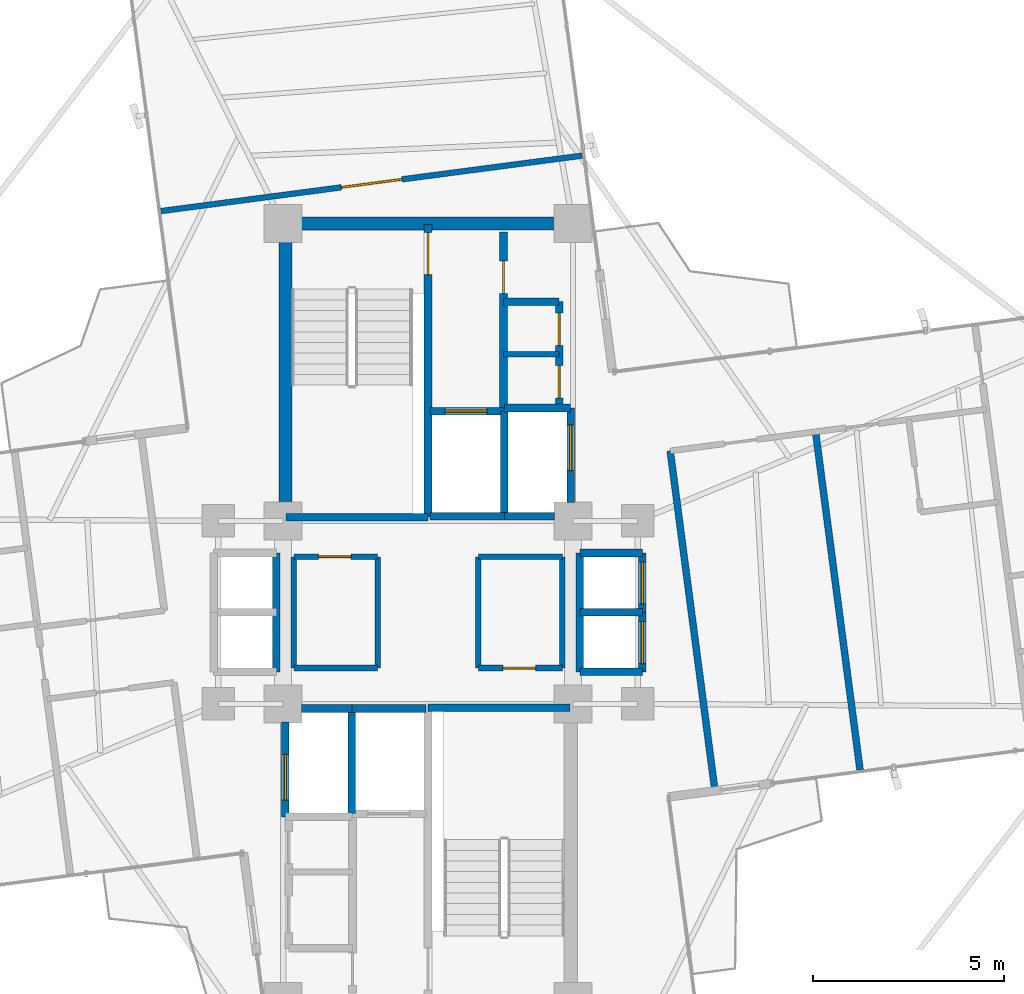
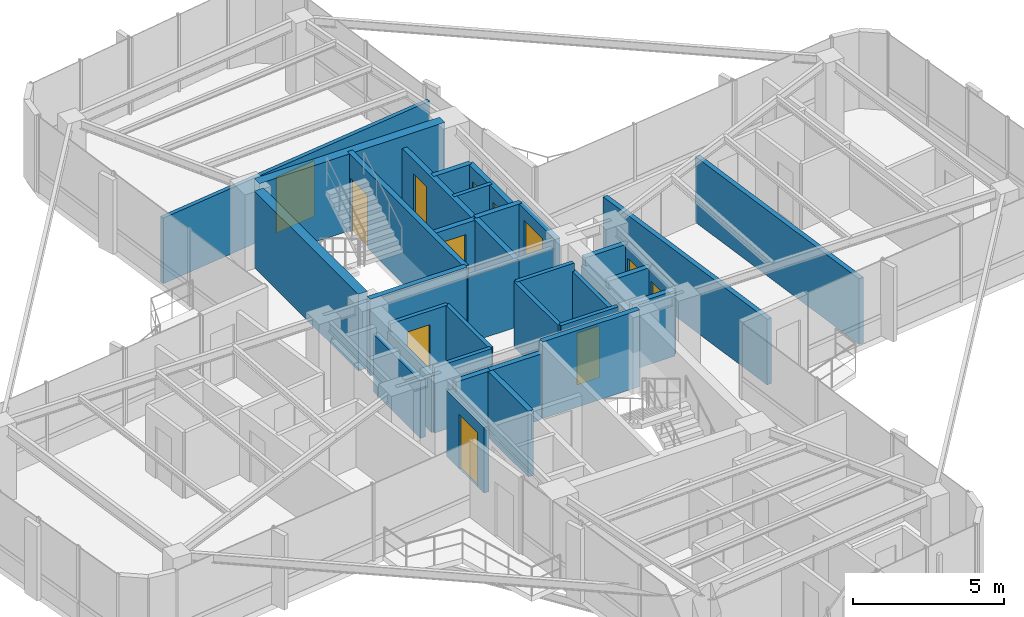
# One storey, part 20 of 22: 37 walls, 12 doors, 12 openings.
"""IFC4 building model written with IfcOpenShell, lengths in metres."""

import ifcopenshell
import ifcopenshell.guid

model = None  # the IFC model being written
_history = None  # IfcOwnerHistory: only IFC2X3 demands one
_inside = {}  # id of a spatial element -> (the spatial element, [elements in it])
_under = {}  # id of a project, library or spatial element -> (it, [spatial elements below it])
_declared = {}  # id of a project -> (the project, [libraries it declares])
_typed = {}  # id of a type object -> (the type object, [elements of that type])
_made_of = {}  # id of a material, layer set ... -> (it, [elements and type objects made of it])


def new_model(schema):
    """Start an empty IFC model of exactly this schema.

    Asked for "IFC4X3", IfcOpenShell would pick the latest addendum, in which some entities
    have other attributes; the version numbers below select the first issue.
    IFC2X3 requires an IfcOwnerHistory on every rooted entity: one is made here for all.
    """
    global model, _history
    if schema == "IFC4X3":
        model = ifcopenshell.file(schema_version=(4, 3, 0, 0))
    else:
        model = ifcopenshell.file(schema=schema)
    _inside.clear()
    _under.clear()
    _declared.clear()
    _typed.clear()
    _made_of.clear()
    _history = None
    if model.schema == "IFC2X3":
        org = make("IfcOrganization", Name="unknown")
        user = make(
            "IfcPersonAndOrganization",
            ThePerson=make("IfcPerson", FamilyName="unknown"),
            TheOrganization=org,
        )
        app = make(
            "IfcApplication",
            ApplicationDeveloper=org,
            Version="unknown",
            ApplicationFullName="unknown",
            ApplicationIdentifier="unknown",
        )
        _history = make(
            "IfcOwnerHistory",
            OwningUser=user,
            OwningApplication=app,
            ChangeAction="ADDED",
            CreationDate=0,
        )
    return model


def make(cls, **values):
    """One entity of the class cls with the attributes given. An attribute that is None is left unset."""
    return model.create_entity(
        cls, **{name: value for name, value in values.items() if value is not None}
    )


def rooted(cls, **values):
    """An entity with a GlobalId (a new one), such as an element, a storey or a relation."""
    return make(cls, GlobalId=ifcopenshell.guid.new(), OwnerHistory=_history, **values)


def si_unit(unit_type, name, prefix=None):
    """IfcSIUnit, for example si_unit("LENGTHUNIT", "METRE", prefix="MILLI")."""
    return make("IfcSIUnit", UnitType=unit_type, Prefix=prefix, Name=name)


def assignment(units):
    """IfcUnitAssignment: the units of a project."""
    return None if units is None else make("IfcUnitAssignment", Units=units)


def point(xyz):
    """IfcCartesianPoint."""
    return None if xyz is None else make("IfcCartesianPoint", Coordinates=xyz)


def direction(xyz):
    """IfcDirection."""
    return None if xyz is None else make("IfcDirection", DirectionRatios=xyz)


def frame(location, z_axis=None, x_axis=None):
    """IfcAxis2Placement3D, a coordinate frame: its origin and axes. An axis left out is left unset."""
    return make(
        "IfcAxis2Placement3D",
        Location=point(location),
        Axis=direction(z_axis),
        RefDirection=direction(x_axis),
    )


def frame_2d(location, x_axis=None):
    """IfcAxis2Placement2D, a coordinate frame in the plane: its origin and x axis."""
    return make(
        "IfcAxis2Placement2D", Location=point(location), RefDirection=direction(x_axis)
    )


def origin():
    """The frame at (0, 0, 0) with its axes left unset."""
    return frame((0.0, 0.0, 0.0))


def origin_2d():
    """The frame at (0, 0) in the plane with its x axis left unset."""
    return frame_2d((0.0, 0.0))


def place(relative_to, where):
    """IfcLocalPlacement: puts the frame where relative to a parent placement (None: the world)."""
    return make(
        "IfcLocalPlacement", PlacementRelTo=relative_to, RelativePlacement=where
    )


def context(
    kind, dimensions, precision=None, world=None, true_north=None, identifier=None
):
    """IfcGeometricRepresentationContext, for example the 3D "Model" context."""
    return make(
        "IfcGeometricRepresentationContext",
        ContextIdentifier=identifier,
        ContextType=kind,
        CoordinateSpaceDimension=dimensions,
        Precision=precision,
        WorldCoordinateSystem=world,
        TrueNorth=true_north,
    )


def subcontext(parent, identifier, kind, view, scale=None):
    """IfcGeometricRepresentationSubContext, for example "Body" below "Model"."""
    return make(
        "IfcGeometricRepresentationSubContext",
        ContextIdentifier=identifier,
        ContextType=kind,
        ParentContext=parent,
        TargetScale=scale,
        TargetView=view,
    )


def project(units=None, contexts=None):
    """IfcProject with its units and contexts."""
    return rooted(
        "IfcProject",
        Name="project",
        RepresentationContexts=contexts,
        UnitsInContext=assignment(units),
    )


def spatial(cls, under=None, at=None, **own):
    """A site, building, storey or space (cls), placed at a placement, below another one or the project."""
    s = rooted(cls, ObjectPlacement=at, **own)
    if under is not None:
        _under.setdefault(under.id(), (under, []))[1].append(s)
    return s


def profile(cls, at=None, kind="AREA", **sizes):
    """A parametric profile (cls). Its sizes go by their IFC names, for example OverallWidth=200.0."""
    return make(cls, ProfileType=kind, Position=at, **sizes)


def rectangle(**sizes):
    """IfcRectangleProfileDef."""
    return profile("IfcRectangleProfileDef", **sizes)


def extrude(swept, where, along, depth):
    """IfcExtrudedAreaSolid: the profile swept, set in the frame where, extruded along a direction by depth."""
    return make(
        "IfcExtrudedAreaSolid",
        SweptArea=swept,
        Position=where,
        ExtrudedDirection=direction(along),
        Depth=depth,
    )


def shape(context_of_items, identifier, shape_type, items):
    """IfcShapeRepresentation: the items that make up one representation, for example the "Body"."""
    return make(
        "IfcShapeRepresentation",
        ContextOfItems=context_of_items,
        RepresentationIdentifier=identifier,
        RepresentationType=shape_type,
        Items=items,
    )


def source(mapping_origin, context_of_items, identifier, shape_type, items):
    """IfcRepresentationMap: a shape defined once, which mapped items show again and again."""
    return make(
        "IfcRepresentationMap",
        MappingOrigin=mapping_origin,
        MappedRepresentation=shape(context_of_items, identifier, shape_type, items),
    )


def transform(
    local_origin,
    x_axis=None,
    y_axis=None,
    z_axis=None,
    scale=None,
    scale2=None,
    scale3=None,
    uniform=True,
):
    """IfcCartesianTransformationOperator3D, or its non-uniform kind. x_axis, y_axis, z_axis: its Axis1, 2, 3."""
    if uniform:
        return make(
            "IfcCartesianTransformationOperator3D",
            Axis1=direction(x_axis),
            Axis2=direction(y_axis),
            LocalOrigin=point(local_origin),
            Scale=scale,
            Axis3=direction(z_axis),
        )
    return make(
        "IfcCartesianTransformationOperator3DnonUniform",
        Axis1=direction(x_axis),
        Axis2=direction(y_axis),
        LocalOrigin=point(local_origin),
        Scale=scale,
        Axis3=direction(z_axis),
        Scale2=scale2,
        Scale3=scale3,
    )


def mapped(mapping_source, mapping_target):
    """IfcMappedItem: shows the shape of a source again, moved by a transform."""
    return make(
        "IfcMappedItem", MappingSource=mapping_source, MappingTarget=mapping_target
    )


def material(Name=None, Category=None):
    """IfcMaterial."""
    return make("IfcMaterial", Name=Name, Category=Category)


def layer(
    of_material, thickness, ventilated=None, Name=None, Category=None, Priority=None
):
    """IfcMaterialLayer: one layer of a wall or slab, of a material (None: an air gap)."""
    return make(
        "IfcMaterialLayer",
        Material=of_material,
        LayerThickness=thickness,
        IsVentilated=ventilated,
        Name=Name,
        Category=Category,
        Priority=Priority,
    )


def layer_set(layers, Name=None):
    """IfcMaterialLayerSet."""
    return make("IfcMaterialLayerSet", MaterialLayers=layers, LayerSetName=Name)


def made_of(thing, what):
    """Note that an element or type object is made of a material, layer set ...; save() writes the relation."""
    if what is not None:
        _made_of.setdefault(what.id(), (what, []))[1].append(thing)
    return thing


def type_object(cls, material=None, **own):
    """A type object (cls), such as IfcWallType, which elements share."""
    return made_of(rooted(cls, **own), material)


def element(
    cls,
    number,
    at=None,
    inside=None,
    cuts=None,
    type_object=None,
    material=None,
    context=None,
    identifier="Body",
    shape_type=None,
    held_by="IfcProductDefinitionShape",
    body=None,
    shapes=None,
    **own,
):
    """One element of the class cls, such as IfcWall. Its Tag is "e" and its number.

    at: its placement. inside: the storey or other place that contains it. cuts: it is an
    opening in that element (IfcRelVoidsElement). A single representation is given by context,
    identifier, shape_type and body (its items); several are given by shapes. held_by: the class
    of the entity that holds the representations. save() writes the other relations.
    """
    e = rooted(cls, Tag="e%d" % number, ObjectPlacement=at, **own)
    if body is not None:
        shapes = [shape(context, identifier, shape_type, body)]
    if shapes is not None:
        e.Representation = make(held_by, Representations=shapes)
    if inside is not None:
        _inside.setdefault(inside.id(), (inside, []))[1].append(e)
    if cuts is not None:
        rooted(
            "IfcRelVoidsElement", RelatingBuildingElement=cuts, RelatedOpeningElement=e
        )
    if type_object is not None:
        _typed.setdefault(type_object.id(), (type_object, []))[1].append(e)
    return made_of(e, material)


def fill(opening, filler):
    """IfcRelFillsElement: the door or window that sits in an opening."""
    return rooted(
        "IfcRelFillsElement",
        RelatingOpeningElement=opening,
        RelatedBuildingElement=filler,
    )


def aggregate(whole, parts):
    """IfcRelAggregates: a whole, such as a stair, and the parts it consists of."""
    return rooted("IfcRelAggregates", RelatingObject=whole, RelatedObjects=parts)


def save(model, path):
    """Write the relations noted so far, then the file.

    IfcRelAggregates (storeys below a building ...), IfcRelContainedInSpatialStructure (elements
    in a storey), IfcRelDefinesByType, IfcRelAssociatesMaterial and IfcRelDeclares: one each for
    every whole, place, type object, material and project.
    """
    for whole, parts in _under.values():
        aggregate(whole, parts)
    for where, things in _inside.values():
        rooted(
            "IfcRelContainedInSpatialStructure",
            RelatedElements=things,
            RelatingStructure=where,
        )
    for kind, things in _typed.values():
        rooted("IfcRelDefinesByType", RelatedObjects=things, RelatingType=kind)
    for what, things in _made_of.values():
        rooted("IfcRelAssociatesMaterial", RelatedObjects=things, RelatingMaterial=what)
    for by, libraries in _declared.values():
        rooted("IfcRelDeclares", RelatingContext=by, RelatedDefinitions=libraries)
    model.write(path)


model = new_model("IFC4")

# Units and contexts
model_context = context("Model", 3, precision=1e-05, world=origin(), true_north=direction((0.0, 1.0)))
body_context = subcontext(model_context, "Body", "Model", "MODEL_VIEW")
ifc_project = project(units=[si_unit("LENGTHUNIT", "METRE"), si_unit("AREAUNIT", "SQUARE_METRE"), si_unit("VOLUMEUNIT", "CUBIC_METRE"), si_unit("PLANEANGLEUNIT", "RADIAN"), si_unit("MASSUNIT", "GRAM", prefix="KILO")], contexts=[model_context])

# Site, building, storey
site_placement = place(None, origin())
site = spatial("IfcSite", under=ifc_project, at=site_placement, CompositionType="ELEMENT")
building_placement = place(site_placement, origin())
building = spatial("IfcBuilding", under=site, at=building_placement, Name="Sahyath Konkavel Grand Hotel", CompositionType="ELEMENT")
storey_placement = place(building_placement, frame((0.0, 0.0, 241.14990234375)))
storey = spatial("IfcBuildingStorey", under=building, at=storey_placement, Name="L67", CompositionType="ELEMENT", Elevation=241.14990234375)

# Walls
ifc_material_1 = material(Name="Concrete C40/50", Category="concrete")
ifc_layer_1 = layer(ifc_material_1, 0.35009765625)
ifc_layer_set_1 = layer_set([ifc_layer_1], Name="Concrete C40/50")
wall_type_1 = type_object("IfcWallType", Name="CWALL-350", PredefinedType="SHEAR", material=ifc_layer_set_1)
wall_1_placement = place(storey_placement, frame((-3.550048828125, 10.199951171875, 0.0), z_axis=(0.0, 0.0, 1.0), x_axis=(1.0, 0.0, 0.0)))
element("IfcWall", 1, at=wall_1_placement, inside=storey, type_object=wall_type_1, Name="L67 North Core Shear Wall N", PredefinedType="SHEAR", context=body_context, shape_type="SweptSolid", body=[
    extrude(rectangle(XDim=7.10009765625, YDim=0.35009765625, at=frame_2d((3.550048828125, 0.0))), origin(), (0.0, 0.0, 1.0), 3.110107421875),
])
wall_2_placement = place(storey_placement, frame((-3.739990234375, 2.85009765625, 0.0), z_axis=(0.0, 0.0, 1.0), x_axis=(0.0, 1.0, 0.0)))
element("IfcWall", 2, at=wall_2_placement, inside=storey, type_object=wall_type_1, Name="L67 North Core Shear Wall W", PredefinedType="SHEAR", context=body_context, shape_type="SweptSolid", body=[
    extrude(rectangle(XDim=6.89990234375, YDim=0.35009765625, at=frame_2d((3.449951171875, 0.0))), origin(), (0.0, 0.0, 1.0), 3.110107421875),
])

# Wall, opening, door
ifc_layer_2 = layer(ifc_material_1, 0.199951171875)
ifc_layer_set_2 = layer_set([ifc_layer_2], Name="Concrete C40/50")
wall_type_2 = type_object("IfcWallType", Name="WLL-CORE-200", PredefinedType="SOLIDWALL", material=ifc_layer_set_2)
wall_3_placement = place(storey_placement, frame((0.0, 2.5, 0.0), z_axis=(0.0, 0.0, 1.0), x_axis=(0.0, 1.0, 0.0)))
wall_3 = element("IfcWall", 3, at=wall_3_placement, inside=storey, type_object=wall_type_2, Name="L67 Stair ST-1 Shaft Wall E", PredefinedType="SOLIDWALL", context=body_context, shape_type="SweptSolid", body=[
    extrude(rectangle(XDim=7.679931640625, YDim=0.199951171875, at=frame_2d((3.83984375, 0.0))), origin(), (0.0, 0.0, 1.0), 3.110107421875),
])
opening_1_placement = place(wall_3_placement, frame((6.360107421875, 0.0, 0.0)))
opening_1 = element("IfcOpeningElement", 4, at=opening_1_placement, cuts=wall_3, Name="Opening D-F12B", PredefinedType="OPENING", context=body_context, shape_type="SweptSolid", body=[
    extrude(rectangle(XDim=1.10009765625, YDim=2.14990234375, at=frame_2d((0.550048828125, 1.074951171875))), frame((0.0, 0.10986328125, 0.0), z_axis=(0.0, -1.0, 0.0), x_axis=(1.0, 0.0, 0.0)), (0.0, 0.0, 1.0), 0.219970703125),
])
ifc_material_2 = material(Name="Steel E350 Smokeproof Fire Door", Category="steel")
door_type_1 = type_object("IfcDoorType", Name="DR-FD120-1100", OperationType="NOTDEFINED", PredefinedType="DOOR", material=ifc_material_2)
shared_shape_1 = source(origin(), body_context, "Body", "SweptSolid", [
    extrude(rectangle(XDim=1.10009765625, YDim=0.050048828125, at=origin_2d()), origin(), (0.0, 0.0, 1.0), 2.14990234375),
])
door_1_placement = place(opening_1_placement, frame((0.550048828125, 0.0, 0.0)))
door_1 = element("IfcDoor", 5, at=door_1_placement, inside=storey, type_object=door_type_1, Name="L67 Stair ST-1 Fire Door", OperationType="SINGLE_SWING_LEFT", OverallHeight=2.14990234375, OverallWidth=1.10009765625, PredefinedType="DOOR", context=body_context, shape_type="MappedRepresentation", body=[
    mapped(shared_shape_1, transform((0.0, 0.0, 0.0), scale=1.0)),
])
fill(opening_1, door_1)

# Walls
for number, where, z_axis, x_axis, name in (
    (6, (-3.719970703125, 2.5, 0.0), (0.0, 0.0, 1.0), (1.0, 0.0, 0.0), "L67 Stair ST-1 Shaft Wall S"),
    (7, (0.0, -2.5, 0.0), (0.0, 0.0, 1.0), (1.0, 0.0, 0.0), "L67 Stair ST-2 Shaft Wall N"),
):
    element("IfcWall", number, at=place(storey_placement, frame(where, z_axis=z_axis, x_axis=x_axis)), inside=storey, type_object=wall_type_2, Name=name, PredefinedType="SOLIDWALL", context=body_context, shape_type="SweptSolid", body=[
        extrude(rectangle(XDim=3.719970703125, YDim=0.199951171875, at=frame_2d((1.85986328125, 0.0))), origin(), (0.0, 0.0, 1.0), 3.110107421875),
    ])

# Wall, opening, door
wall_4_placement = place(storey_placement, frame((1.97998046875, 5.320068359375, 0.0), z_axis=(0.0, 0.0, 1.0), x_axis=(0.0, 1.0, 0.0)))
wall_4 = element("IfcWall", 8, at=wall_4_placement, inside=storey, type_object=wall_type_2, Name="L67 North Firefighting Lobby Wall E", PredefinedType="SOLIDWALL", context=body_context, shape_type="SweptSolid", body=[
    extrude(rectangle(XDim=4.659912109375, YDim=0.199951171875, at=frame_2d((2.330078125, 0.0))), origin(), (0.0, 0.0, 1.0), 2.66015625),
])
opening_2_placement = place(wall_4_placement, frame((3.0400390625, 0.0, 0.0)))
opening_2 = element("IfcOpeningElement", 9, at=opening_2_placement, cuts=wall_4, Name="Opening D-F12D", PredefinedType="OPENING", context=body_context, shape_type="SweptSolid", body=[
    extrude(rectangle(XDim=0.85009765625, YDim=2.10009765625, at=frame_2d((0.425048828125, 1.050048828125))), frame((0.0, 0.10986328125, 0.0), z_axis=(0.0, -1.0, 0.0), x_axis=(1.0, 0.0, 0.0)), (0.0, 0.0, 1.0), 0.219970703125),
])
ifc_material_3 = material(Name="Steel E350 Core Fire Door", Category="steel")
door_type_2 = type_object("IfcDoorType", Name="DR-FD120-850", OperationType="NOTDEFINED", PredefinedType="DOOR", material=ifc_material_3)
shared_shape_2 = source(origin(), body_context, "Body", "SweptSolid", [
    extrude(rectangle(XDim=0.85009765625, YDim=0.050048828125, at=origin_2d()), origin(), (0.0, 0.0, 1.0), 2.10009765625),
])
door_2_placement = place(opening_2_placement, frame((0.425048828125, 0.0, 0.0)))
door_2 = element("IfcDoor", 10, at=door_2_placement, inside=storey, type_object=door_type_2, Name="L67 North Firefighting Lobby Door", OperationType="SINGLE_SWING_LEFT", OverallHeight=2.10009765625, OverallWidth=0.85009765625, PredefinedType="DOOR", context=body_context, shape_type="MappedRepresentation", body=[
    mapped(shared_shape_2, transform((0.0, 0.0, 0.0), scale=1.0)),
])
fill(opening_2, door_2)

# Walls
wall_5_placement = place(storey_placement, frame((2.0, 2.5, 0.0), z_axis=(0.0, 0.0, 1.0), x_axis=(0.0, 1.0, 0.0)))
element("IfcWall", 11, at=wall_5_placement, inside=storey, type_object=wall_type_2, Name="L67 Partition SH-FFL1-E", PredefinedType="SOLIDWALL", context=body_context, shape_type="SweptSolid", body=[
    extrude(rectangle(XDim=2.780029296875, YDim=0.199951171875, at=frame_2d((1.39013671875, 0.0))), origin(), (0.0, 0.0, 1.0), 2.66015625),
])
wall_6_placement = place(storey_placement, frame((0.050048828125, 2.52001953125, 0.0), z_axis=(0.0, 0.0, 1.0), x_axis=(1.0, 0.0, 0.0)))
element("IfcWall", 12, at=wall_6_placement, inside=storey, type_object=wall_type_2, Name="L67 Partition SH-FFL1-S", PredefinedType="SOLIDWALL", context=body_context, shape_type="SweptSolid", body=[
    extrude(rectangle(XDim=1.949951171875, YDim=0.199951171875, at=frame_2d((0.97509765625, 0.0))), origin(), (0.0, 0.0, 1.0), 2.66015625),
])

# Wall, opening, door
wall_7_placement = place(storey_placement, frame((0.050048828125, 5.280029296875, 0.0), z_axis=(0.0, 0.0, 1.0), x_axis=(1.0, 0.0, 0.0)))
wall_7 = element("IfcWall", 13, at=wall_7_placement, inside=storey, type_object=wall_type_2, Name="L67 Partition SH-FFL1-N", PredefinedType="SOLIDWALL", context=body_context, shape_type="SweptSolid", body=[
    extrude(rectangle(XDim=1.929931640625, YDim=0.199951171875, at=frame_2d((0.96484375, 0.0))), origin(), (0.0, 0.0, 1.0), 2.66015625),
])
opening_3_placement = place(wall_7_placement, frame((0.39990234375, 0.0, 0.0)))
opening_3 = element("IfcOpeningElement", 14, at=opening_3_placement, cuts=wall_7, Name="Opening LD-11", PredefinedType="OPENING", context=body_context, shape_type="SweptSolid", body=[
    extrude(rectangle(XDim=1.10009765625, YDim=2.199951171875, at=frame_2d((0.550048828125, 1.10009765625))), frame((0.0, 0.10986328125, 0.0), z_axis=(0.0, -1.0, 0.0), x_axis=(1.0, 0.0, 0.0)), (0.0, 0.0, 1.0), 0.219970703125),
])
ifc_material_4 = material(Name="Bronze Lift Landing Door 1100")
door_type_3 = type_object("IfcDoorType", Name="DR-LIFT-1100", OperationType="DOUBLE_DOOR_SLIDING", PredefinedType="DOOR", material=ifc_material_4)
shared_shape_3 = source(origin(), body_context, "Body", "SweptSolid", [
    extrude(rectangle(XDim=1.10009765625, YDim=0.050048828125, at=origin_2d()), origin(), (0.0, 0.0, 1.0), 2.199951171875),
])
door_3_placement = place(opening_3_placement, frame((0.550048828125, 0.0, 0.0)))
door_3 = element("IfcDoor", 15, at=door_3_placement, inside=storey, type_object=door_type_3, Name="L67 Lift FFL-1 Landing Door", OperationType="DOUBLE_DOOR_SLIDING", OverallHeight=2.199951171875, OverallWidth=1.10009765625, PredefinedType="DOOR", context=body_context, shape_type="MappedRepresentation", body=[
    mapped(shared_shape_3, transform((0.0, 0.0, 0.0), scale=1.0)),
])
fill(opening_3, door_3)

# Walls
wall_8_placement = place(storey_placement, frame((-2.0, -5.280029296875, 0.0), z_axis=(0.0, 0.0, 1.0), x_axis=(0.0, 1.0, 0.0)))
element("IfcWall", 16, at=wall_8_placement, inside=storey, type_object=wall_type_2, Name="L67 Partition SH-FFL2-W", PredefinedType="SOLIDWALL", context=body_context, shape_type="SweptSolid", body=[
    extrude(rectangle(XDim=2.780029296875, YDim=0.199951171875, at=frame_2d((1.39013671875, 0.0))), origin(), (0.0, 0.0, 1.0), 2.66015625),
])
wall_9_placement = place(storey_placement, frame((-2.0, -2.52001953125, 0.0), z_axis=(0.0, 0.0, 1.0), x_axis=(1.0, 0.0, 0.0)))
element("IfcWall", 17, at=wall_9_placement, inside=storey, type_object=wall_type_2, Name="L67 Partition SH-FFL2-N", PredefinedType="SOLIDWALL", context=body_context, shape_type="SweptSolid", body=[
    extrude(rectangle(XDim=1.949951171875, YDim=0.199951171875, at=frame_2d((0.97509765625, 0.0))), origin(), (0.0, 0.0, 1.0), 2.66015625),
])
wall_10_placement = place(storey_placement, frame((2.0, 2.52001953125, 0.0), z_axis=(0.0, 0.0, 1.0), x_axis=(1.0, 0.0, 0.0)))
element("IfcWall", 18, at=wall_10_placement, inside=storey, type_object=wall_type_2, Name="L67 Partition SH-SVL1-S", PredefinedType="SOLIDWALL", context=body_context, shape_type="SweptSolid", body=[
    extrude(rectangle(XDim=1.320068359375, YDim=0.199951171875, at=frame_2d((0.66015625, 0.0))), origin(), (0.0, 0.0, 1.0), 2.66015625),
])
wall_11_placement = place(storey_placement, frame((2.0, 5.360107421875, 0.0), z_axis=(0.0, 0.0, 1.0), x_axis=(1.0, 0.0, 0.0)))
element("IfcWall", 19, at=wall_11_placement, inside=storey, type_object=wall_type_2, Name="L67 Partition SH-SVL1-N", PredefinedType="SOLIDWALL", context=body_context, shape_type="SweptSolid", body=[
    extrude(rectangle(XDim=1.739990234375, YDim=0.199951171875, at=frame_2d((0.8701171875, 0.0))), origin(), (0.0, 0.0, 1.0), 2.66015625),
])

# Wall, opening, door
wall_12_placement = place(storey_placement, frame((3.739990234375, 2.8798828125, 0.0), z_axis=(0.0, 0.0, 1.0), x_axis=(0.0, 1.0, 0.0)))
wall_12 = element("IfcWall", 20, at=wall_12_placement, inside=storey, type_object=wall_type_2, Name="L67 Partition SH-SVL1-E", PredefinedType="SOLIDWALL", context=body_context, shape_type="SweptSolid", body=[
    extrude(rectangle(XDim=2.480224609375, YDim=0.199951171875, at=frame_2d((1.240234375, 0.0))), origin(), (0.0, 0.0, 1.0), 2.66015625),
])
opening_4_placement = place(wall_12_placement, frame((0.840087890625, 0.0, 0.0)))
opening_4 = element("IfcOpeningElement", 21, at=opening_4_placement, cuts=wall_12, Name="Opening LD-12", PredefinedType="OPENING", context=body_context, shape_type="SweptSolid", body=[
    extrude(rectangle(XDim=1.199951171875, YDim=2.199951171875, at=frame_2d((0.60009765625, 1.10009765625))), frame((0.0, 0.10986328125, 0.0), z_axis=(0.0, -1.0, 0.0), x_axis=(1.0, 0.0, 0.0)), (0.0, 0.0, 1.0), 0.219970703125),
])
ifc_material_5 = material(Name="Stainless Steel Lift Landing Door 1200", Category="steel")
door_type_4 = type_object("IfcDoorType", Name="DR-LIFT-1200", OperationType="DOUBLE_DOOR_SLIDING", PredefinedType="DOOR", material=ifc_material_5)
shared_shape_4 = source(origin(), body_context, "Body", "SweptSolid", [
    extrude(rectangle(XDim=1.199951171875, YDim=0.050048828125, at=origin_2d()), origin(), (0.0, 0.0, 1.0), 2.199951171875),
])
door_4_placement = place(opening_4_placement, frame((0.60009765625, 0.0, 0.0)))
door_4 = element("IfcDoor", 22, at=door_4_placement, inside=storey, type_object=door_type_4, Name="L67 Service Lift SVL-1 Landing Door", OperationType="DOUBLE_DOOR_SLIDING", OverallHeight=2.199951171875, OverallWidth=1.199951171875, PredefinedType="DOOR", context=body_context, shape_type="MappedRepresentation", body=[
    mapped(shared_shape_4, transform((0.0, 0.0, 0.0), scale=1.0)),
])
fill(opening_4, door_4)

# Wall
wall_13_placement = place(storey_placement, frame((-3.320068359375, -2.52001953125, 0.0), z_axis=(0.0, 0.0, 1.0), x_axis=(1.0, 0.0, 0.0)))
element("IfcWall", 23, at=wall_13_placement, inside=storey, type_object=wall_type_2, Name="L67 Partition SH-SVL2-N", PredefinedType="SOLIDWALL", context=body_context, shape_type="SweptSolid", body=[
    extrude(rectangle(XDim=1.320068359375, YDim=0.199951171875, at=frame_2d((0.66015625, 0.0))), origin(), (0.0, 0.0, 1.0), 2.66015625),
])

# Wall, opening, door
wall_14_placement = place(storey_placement, frame((-3.739990234375, -5.360107421875, 0.0), z_axis=(0.0, 0.0, 1.0), x_axis=(0.0, 1.0, 0.0)))
wall_14 = element("IfcWall", 24, at=wall_14_placement, inside=storey, type_object=wall_type_2, Name="L67 Partition SH-SVL2-W", PredefinedType="SOLIDWALL", context=body_context, shape_type="SweptSolid", body=[
    extrude(rectangle(XDim=2.480224609375, YDim=0.199951171875, at=frame_2d((1.240234375, 0.0))), origin(), (0.0, 0.0, 1.0), 2.66015625),
])
opening_5_placement = place(wall_14_placement, frame((0.43994140625, 0.0, 0.0)))
opening_5 = element("IfcOpeningElement", 25, at=opening_5_placement, cuts=wall_14, Name="Opening LD-12", PredefinedType="OPENING", context=body_context, shape_type="SweptSolid", body=[
    extrude(rectangle(XDim=1.199951171875, YDim=2.199951171875, at=frame_2d((0.60009765625, 1.10009765625))), frame((0.0, 0.10986328125, 0.0), z_axis=(0.0, -1.0, 0.0), x_axis=(1.0, 0.0, 0.0)), (0.0, 0.0, 1.0), 0.219970703125),
])
door_5_placement = place(opening_5_placement, frame((0.60009765625, 0.0, 0.0)))
door_5 = element("IfcDoor", 26, at=door_5_placement, inside=storey, type_object=door_type_4, Name="L67 Service Lift SVL-2 Landing Door", OperationType="DOUBLE_DOOR_SLIDING", OverallHeight=2.199951171875, OverallWidth=1.199951171875, PredefinedType="DOOR", context=body_context, shape_type="MappedRepresentation", body=[
    mapped(shared_shape_4, transform((0.0, 0.0, 0.0), scale=1.0)),
])
fill(opening_5, door_5)

# Walls
wall_15_placement = place(storey_placement, frame((3.97998046875, -1.56005859375, 0.0), z_axis=(0.0, 0.0, 1.0), x_axis=(0.0, 1.0, 0.0)))
element("IfcWall", 27, at=wall_15_placement, inside=storey, type_object=wall_type_2, Name="L67 Partition SH-PL56-W", PredefinedType="SOLIDWALL", context=body_context, shape_type="SweptSolid", body=[
    extrude(rectangle(XDim=3.1201171875, YDim=0.199951171875, at=frame_2d((1.56005859375, 0.0))), origin(), (0.0, 0.0, 1.0), 2.330078125),
])
for number, where, z_axis, x_axis, name in (
    (28, (3.97998046875, 1.56005859375, 0.0), (0.0, 0.0, 1.0), (1.0, 0.0, 0.0), "L67 Partition SH-PL56-N"),
    (29, (3.97998046875, -1.56005859375, 0.0), (0.0, 0.0, 1.0), (1.0, 0.0, 0.0), "L67 Partition SH-PL56-S"),
    (30, (3.97998046875, 0.0, 0.0), (0.0, 0.0, 1.0), (1.0, 0.0, 0.0), "L67 Partition SH-PL56-M"),
):
    element("IfcWall", number, at=place(storey_placement, frame(where, z_axis=z_axis, x_axis=x_axis)), inside=storey, type_object=wall_type_2, Name=name, PredefinedType="SOLIDWALL", context=body_context, shape_type="SweptSolid", body=[
        extrude(rectangle(XDim=1.64013671875, YDim=0.199951171875, at=frame_2d((0.820068359375, 0.0))), origin(), (0.0, 0.0, 1.0), 2.66015625),
    ])

# Wall, opening, door
wall_16_placement = place(storey_placement, frame((5.6201171875, 0.0, 0.0), z_axis=(0.0, 0.0, 1.0), x_axis=(0.0, 1.0, 0.0)))
wall_16 = element("IfcWall", 31, at=wall_16_placement, inside=storey, type_object=wall_type_2, Name="L67 Partition SH-PL5-E", PredefinedType="SOLIDWALL", context=body_context, shape_type="SweptSolid", body=[
    extrude(rectangle(XDim=1.56005859375, YDim=0.199951171875, at=frame_2d((0.780029296875, 0.0))), origin(), (0.0, 0.0, 1.0), 2.66015625),
])
opening_6_placement = place(wall_16_placement, frame((0.219970703125, 0.0, 0.0)))
opening_6 = element("IfcOpeningElement", 32, at=opening_6_placement, cuts=wall_16, Name="Opening LD-11", PredefinedType="OPENING", context=body_context, shape_type="SweptSolid", body=[
    extrude(rectangle(XDim=1.10009765625, YDim=2.199951171875, at=frame_2d((0.550048828125, 1.10009765625))), frame((0.0, 0.10986328125, 0.0), z_axis=(0.0, -1.0, 0.0), x_axis=(1.0, 0.0, 0.0)), (0.0, 0.0, 1.0), 0.219970703125),
])
door_6_placement = place(opening_6_placement, frame((0.550048828125, 0.0, 0.0)))
door_6 = element("IfcDoor", 33, at=door_6_placement, inside=storey, type_object=door_type_3, Name="L67 High-Rise Lift PL-5 Landing Door", OperationType="DOUBLE_DOOR_SLIDING", OverallHeight=2.199951171875, OverallWidth=1.10009765625, PredefinedType="DOOR", context=body_context, shape_type="MappedRepresentation", body=[
    mapped(shared_shape_3, transform((0.0, 0.0, 0.0), scale=1.0)),
])
fill(opening_6, door_6)

wall_17_placement = place(storey_placement, frame((5.6201171875, -1.56005859375, 0.0), z_axis=(0.0, 0.0, 1.0), x_axis=(0.0, 1.0, 0.0)))
wall_17 = element("IfcWall", 34, at=wall_17_placement, inside=storey, type_object=wall_type_2, Name="L67 Partition SH-PL6-E", PredefinedType="SOLIDWALL", context=body_context, shape_type="SweptSolid", body=[
    extrude(rectangle(XDim=1.56005859375, YDim=0.199951171875, at=frame_2d((0.780029296875, 0.0))), origin(), (0.0, 0.0, 1.0), 2.66015625),
])
opening_7_placement = place(wall_17_placement, frame((0.219970703125, 0.0, 0.0)))
opening_7 = element("IfcOpeningElement", 35, at=opening_7_placement, cuts=wall_17, Name="Opening LD-11", PredefinedType="OPENING", context=body_context, shape_type="SweptSolid", body=[
    extrude(rectangle(XDim=1.10009765625, YDim=2.199951171875, at=frame_2d((0.550048828125, 1.10009765625))), frame((0.0, 0.10986328125, 0.0), z_axis=(0.0, -1.0, 0.0), x_axis=(1.0, 0.0, 0.0)), (0.0, 0.0, 1.0), 0.219970703125),
])
door_7_placement = place(opening_7_placement, frame((0.550048828125, 0.0, 0.0)))
door_7 = element("IfcDoor", 36, at=door_7_placement, inside=storey, type_object=door_type_3, Name="L67 High-Rise Lift PL-6 Landing Door", OperationType="DOUBLE_DOOR_SLIDING", OverallHeight=2.199951171875, OverallWidth=1.10009765625, PredefinedType="DOOR", context=body_context, shape_type="MappedRepresentation", body=[
    mapped(shared_shape_3, transform((0.0, 0.0, 0.0), scale=1.0)),
])
fill(opening_7, door_7)

# Wall
wall_18_placement = place(storey_placement, frame((-3.97998046875, -1.56005859375, 0.0), z_axis=(0.0, 0.0, 1.0), x_axis=(0.0, 1.0, 0.0)))
element("IfcWall", 37, at=wall_18_placement, inside=storey, type_object=wall_type_2, Name="L67 Partition SH-SL12-E", PredefinedType="SOLIDWALL", context=body_context, shape_type="SweptSolid", body=[
    extrude(rectangle(XDim=3.1201171875, YDim=0.199951171875, at=frame_2d((1.56005859375, 0.0))), origin(), (0.0, 0.0, 1.0), 2.330078125),
])

# Wall, openings, doors
wall_19_placement = place(storey_placement, frame((3.43994140625, 5.3798828125, 0.0), z_axis=(0.0, 0.0, 1.0), x_axis=(0.0, 1.0, 0.0)))
wall_19 = element("IfcWall", 38, at=wall_19_placement, inside=storey, type_object=wall_type_2, Name="L67 Reclaimed North Core Wall E", PredefinedType="SOLIDWALL", context=body_context, shape_type="SweptSolid", body=[
    extrude(rectangle(XDim=2.77001953125, YDim=0.199951171875, at=frame_2d((1.385009765625, 0.0))), origin(), (0.0, 0.0, 1.0), 2.66015625),
])
opening_8_placement = place(wall_19_placement, frame((0.239990234375, 0.0, 0.0)))
opening_8 = element("IfcOpeningElement", 39, at=opening_8_placement, cuts=wall_19, Name="Opening D-F06D", PredefinedType="OPENING", context=body_context, shape_type="SweptSolid", body=[
    extrude(rectangle(XDim=0.85009765625, YDim=2.10009765625, at=frame_2d((0.425048828125, 1.050048828125))), frame((0.0, 0.10986328125, 0.0), z_axis=(0.0, -1.0, 0.0), x_axis=(1.0, 0.0, 0.0)), (0.0, 0.0, 1.0), 0.219970703125),
])
opening_9_placement = place(wall_19_placement, frame((1.6201171875, 0.0, 0.0)))
opening_9 = element("IfcOpeningElement", 40, at=opening_9_placement, cuts=wall_19, Name="Opening D-F06D", PredefinedType="OPENING", context=body_context, shape_type="SweptSolid", body=[
    extrude(rectangle(XDim=0.85009765625, YDim=2.10009765625, at=frame_2d((0.425048828125, 1.050048828125))), frame((0.0, 0.10986328125, 0.0), z_axis=(0.0, -1.0, 0.0), x_axis=(1.0, 0.0, 0.0)), (0.0, 0.0, 1.0), 0.219970703125),
])
ifc_material_6 = material(Name="Fire-Rated Shaft Access Door")
door_type_5 = type_object("IfcDoorType", Name="DR-FD60-850", OperationType="NOTDEFINED", PredefinedType="DOOR", material=ifc_material_6)
door_8_placement = place(opening_8_placement, frame((0.425048828125, 0.0, 0.0)))
door_8 = element("IfcDoor", 41, at=door_8_placement, inside=storey, type_object=door_type_5, Name="L67 Door NC-REC1-D", OperationType="SINGLE_SWING_LEFT", OverallHeight=2.10009765625, OverallWidth=0.85009765625, PredefinedType="DOOR", context=body_context, shape_type="MappedRepresentation", body=[
    mapped(shared_shape_2, transform((0.0, 0.0, 0.0), scale=1.0)),
])
fill(opening_8, door_8)
door_9_placement = place(opening_9_placement, frame((0.425048828125, 0.0, 0.0)))
door_9 = element("IfcDoor", 42, at=door_9_placement, inside=storey, type_object=door_type_5, Name="L67 Door NC-REC2-D", OperationType="SINGLE_SWING_RIGHT", OverallHeight=2.10009765625, OverallWidth=0.85009765625, PredefinedType="DOOR", context=body_context, shape_type="MappedRepresentation", body=[
    mapped(shared_shape_2, transform((0.0, 0.0, 0.0), scale=1.0)),
])
fill(opening_9, door_9)

# Walls
wall_20_placement = place(storey_placement, frame((1.97998046875, 8.14990234375, 0.0), z_axis=(0.0, 0.0, 1.0), x_axis=(1.0, 0.0, 0.0)))
element("IfcWall", 43, at=wall_20_placement, inside=storey, type_object=wall_type_2, Name="L67 Partition NC-REC-N", PredefinedType="SOLIDWALL", context=body_context, shape_type="SweptSolid", body=[
    extrude(rectangle(XDim=1.4599609375, YDim=0.199951171875, at=frame_2d((0.72998046875, 0.0))), origin(), (0.0, 0.0, 1.0), 2.66015625),
])
ifc_material_7 = material(Name="Twin-Stud Acoustic Gypsum Plasterboard Partition")
ifc_layer_3 = layer(ifc_material_7, 0.179931640625)
ifc_layer_set_3 = layer_set([ifc_layer_3], Name="Twin-Stud Acoustic Gypsum Plasterboard Partition")
wall_type_3 = type_object("IfcWallType", Name="WLL-DEMISE-180", PredefinedType="PARTITIONING", material=ifc_layer_set_3)
for number, where, z_axis, x_axis, name in (
    (44, (7.5185546875, -4.629150390625, 0.0), (0.0, 0.0, 1.0), (-0.130534320109, 0.991443791283, 0.0), "L67 Partition E-G5I"),
    (45, (10.16259765625, 4.738037109375, 0.0), (0.0, 0.0, 1.0), (0.130507482459, -0.991447324381, 0.0), "L67 Partition E-ED1-DEM"),
):
    element("IfcWall", number, at=place(storey_placement, frame(where, z_axis=z_axis, x_axis=x_axis)), inside=storey, type_object=wall_type_3, Name=name, PredefinedType="PARTITIONING", context=body_context, shape_type="SweptSolid", body=[
        extrude(rectangle(XDim=8.94189453125, YDim=0.179931640625, at=frame_2d((4.470947265625, 0.0))), origin(), (0.0, 0.0, 1.0), 2.66015625),
    ])
ifc_material_8 = material(Name="Fire-Rated Gypsum Plasterboard Partition")
ifc_layer_4 = layer(ifc_material_8, 0.14990234375)
ifc_layer_set_4 = layer_set([ifc_layer_4], Name="Fire-Rated Gypsum Plasterboard Partition")
wall_type_4 = type_object("IfcWallType", Name="WLL-PART-150", PredefinedType="PARTITIONING", material=ifc_layer_set_4)
wall_21_placement = place(storey_placement, frame((1.97998046875, 6.77001953125, 0.0), z_axis=(0.0, 0.0, 1.0), x_axis=(1.0, 0.0, 0.0)))
element("IfcWall", 46, at=wall_21_placement, inside=storey, type_object=wall_type_4, Name="L67 Partition NC-REC-M1", PredefinedType="PARTITIONING", context=body_context, shape_type="SweptSolid", body=[
    extrude(rectangle(XDim=1.4599609375, YDim=0.14990234375, at=frame_2d((0.72998046875, 0.0))), origin(), (0.0, 0.0, 1.0), 2.66015625),
])
wall_22_placement = place(storey_placement, frame((-1.320068359375, -1.4599609375, 0.0), z_axis=(0.0, 0.0, 1.0), x_axis=(0.0, 1.0, 0.0)))
element("IfcWall", 47, at=wall_22_placement, inside=storey, type_object=wall_type_4, Name="L67 Partition CC-1WI", PredefinedType="PARTITIONING", context=body_context, shape_type="SweptSolid", body=[
    extrude(rectangle(XDim=2.919921875, YDim=0.14990234375, at=frame_2d((1.4599609375, 0.0))), origin(), (0.0, 0.0, 1.0), 2.66015625),
])
wall_23_placement = place(storey_placement, frame((-3.52001953125, -1.4599609375, 0.0), z_axis=(0.0, 0.0, 1.0), x_axis=(0.0, 1.0, 0.0)))
element("IfcWall", 48, at=wall_23_placement, inside=storey, type_object=wall_type_4, Name="L67 Partition CC-1WO", PredefinedType="PARTITIONING", context=body_context, shape_type="SweptSolid", body=[
    extrude(rectangle(XDim=2.919921875, YDim=0.14990234375, at=frame_2d((1.4599609375, 0.0))), origin(), (0.0, 0.0, 1.0), 2.330078125),
])

# Wall, opening, door
wall_24_placement = place(storey_placement, frame((-3.52001953125, 1.4599609375, 0.0), z_axis=(0.0, 0.0, 1.0), x_axis=(1.0, 0.0, 0.0)))
wall_24 = element("IfcWall", 49, at=wall_24_placement, inside=storey, type_object=wall_type_4, Name="L67 Partition CC-1WN", PredefinedType="PARTITIONING", context=body_context, shape_type="SweptSolid", body=[
    extrude(rectangle(XDim=2.199951171875, YDim=0.14990234375, at=frame_2d((1.10009765625, 0.0))), origin(), (0.0, 0.0, 1.0), 2.66015625),
])
opening_10_placement = place(wall_24_placement, frame((0.64990234375, 0.0, 0.0)))
opening_10 = element("IfcOpeningElement", 50, at=opening_10_placement, cuts=wall_24, Name="Opening D-F06D", PredefinedType="OPENING", context=body_context, shape_type="SweptSolid", body=[
    extrude(rectangle(XDim=0.85009765625, YDim=2.10009765625, at=frame_2d((0.425048828125, 1.050048828125))), frame((0.0, 0.0849609375, 0.0), z_axis=(0.0, -1.0, 0.0), x_axis=(1.0, 0.0, 0.0)), (0.0, 0.0, 1.0), 0.169921875),
])
door_10_placement = place(opening_10_placement, frame((0.425048828125, 0.0, 0.0)))
door_10 = element("IfcDoor", 51, at=door_10_placement, inside=storey, type_object=door_type_5, Name="L67 Door CC-D1W", OperationType="SINGLE_SWING_LEFT", OverallHeight=2.10009765625, OverallWidth=0.85009765625, PredefinedType="DOOR", context=body_context, shape_type="MappedRepresentation", body=[
    mapped(shared_shape_2, transform((0.0, 0.0, 0.0), scale=1.0)),
])
fill(opening_10, door_10)

# Walls
wall_25_placement = place(storey_placement, frame((-3.52001953125, -1.4599609375, 0.0), z_axis=(0.0, 0.0, 1.0), x_axis=(1.0, 0.0, 0.0)))
element("IfcWall", 52, at=wall_25_placement, inside=storey, type_object=wall_type_4, Name="L67 Partition CC-1WS", PredefinedType="PARTITIONING", context=body_context, shape_type="SweptSolid", body=[
    extrude(rectangle(XDim=2.199951171875, YDim=0.14990234375, at=frame_2d((1.10009765625, 0.0))), origin(), (0.0, 0.0, 1.0), 2.66015625),
])
wall_26_placement = place(storey_placement, frame((1.320068359375, -1.4599609375, 0.0), z_axis=(0.0, 0.0, 1.0), x_axis=(0.0, 1.0, 0.0)))
element("IfcWall", 53, at=wall_26_placement, inside=storey, type_object=wall_type_4, Name="L67 Partition CC-1EI", PredefinedType="PARTITIONING", context=body_context, shape_type="SweptSolid", body=[
    extrude(rectangle(XDim=2.919921875, YDim=0.14990234375, at=frame_2d((1.4599609375, 0.0))), origin(), (0.0, 0.0, 1.0), 2.66015625),
])
wall_27_placement = place(storey_placement, frame((3.52001953125, -1.4599609375, 0.0), z_axis=(0.0, 0.0, 1.0), x_axis=(0.0, 1.0, 0.0)))
element("IfcWall", 54, at=wall_27_placement, inside=storey, type_object=wall_type_4, Name="L67 Partition CC-1EO", PredefinedType="PARTITIONING", context=body_context, shape_type="SweptSolid", body=[
    extrude(rectangle(XDim=2.919921875, YDim=0.14990234375, at=frame_2d((1.4599609375, 0.0))), origin(), (0.0, 0.0, 1.0), 2.330078125),
])
wall_28_placement = place(storey_placement, frame((1.320068359375, 1.4599609375, 0.0), z_axis=(0.0, 0.0, 1.0), x_axis=(1.0, 0.0, 0.0)))
element("IfcWall", 55, at=wall_28_placement, inside=storey, type_object=wall_type_4, Name="L67 Partition CC-1EN", PredefinedType="PARTITIONING", context=body_context, shape_type="SweptSolid", body=[
    extrude(rectangle(XDim=2.199951171875, YDim=0.14990234375, at=frame_2d((1.10009765625, 0.0))), origin(), (0.0, 0.0, 1.0), 2.66015625),
])

# Wall, opening, door
wall_29_placement = place(storey_placement, frame((1.320068359375, -1.4599609375, 0.0), z_axis=(0.0, 0.0, 1.0), x_axis=(1.0, 0.0, 0.0)))
wall_29 = element("IfcWall", 56, at=wall_29_placement, inside=storey, type_object=wall_type_4, Name="L67 Partition CC-1ES", PredefinedType="PARTITIONING", context=body_context, shape_type="SweptSolid", body=[
    extrude(rectangle(XDim=2.199951171875, YDim=0.14990234375, at=frame_2d((1.10009765625, 0.0))), origin(), (0.0, 0.0, 1.0), 2.66015625),
])
opening_11_placement = place(wall_29_placement, frame((0.64990234375, 0.0, 0.0)))
opening_11 = element("IfcOpeningElement", 57, at=opening_11_placement, cuts=wall_29, Name="Opening D-F06D", PredefinedType="OPENING", context=body_context, shape_type="SweptSolid", body=[
    extrude(rectangle(XDim=0.85009765625, YDim=2.10009765625, at=frame_2d((0.425048828125, 1.050048828125))), frame((0.0, 0.0849609375, 0.0), z_axis=(0.0, -1.0, 0.0), x_axis=(1.0, 0.0, 0.0)), (0.0, 0.0, 1.0), 0.169921875),
])
door_11_placement = place(opening_11_placement, frame((0.425048828125, 0.0, 0.0)))
door_11 = element("IfcDoor", 58, at=door_11_placement, inside=storey, type_object=door_type_5, Name="L67 Door CC-D1E", OperationType="SINGLE_SWING_RIGHT", OverallHeight=2.10009765625, OverallWidth=0.85009765625, PredefinedType="DOOR", context=body_context, shape_type="MappedRepresentation", body=[
    mapped(shared_shape_2, transform((0.0, 0.0, 0.0), scale=1.0)),
])
fill(opening_11, door_11)

wall_30_placement = place(storey_placement, frame((4.0419921875, 11.97998046875, 0.0), z_axis=(0.0, 0.0, 1.0), x_axis=(-0.991444895998, -0.130525929223, 0.0)))
wall_30 = element("IfcWall", 59, at=wall_30_placement, inside=storey, type_object=wall_type_4, Name="L67 Partition N-SAL-IN", PredefinedType="PARTITIONING", context=body_context, shape_type="SweptSolid", body=[
    extrude(rectangle(XDim=11.14208984375, YDim=0.14990234375, at=frame_2d((5.571044921875, 0.0))), origin(), (0.0, 0.0, 1.0), 2.66015625),
])
opening_12_placement = place(wall_30_placement, frame((4.77099609375, 0.0, 0.0)))
opening_12 = element("IfcOpeningElement", 60, at=opening_12_placement, cuts=wall_30, Name="Opening D-DB16", PredefinedType="OPENING", context=body_context, shape_type="SweptSolid", body=[
    extrude(rectangle(XDim=1.60009765625, YDim=2.25, at=frame_2d((0.800048828125, 1.125))), frame((0.0, 0.0849609375, 0.0), z_axis=(0.0, -1.0, 0.0), x_axis=(1.0, 0.0, 0.0)), (0.0, 0.0, 1.0), 0.169921875),
])
ifc_material_9 = material(Name="Double Leaf Lounge Glazed Timber Door", Category="wood")
door_type_6 = type_object("IfcDoorType", Name="DR-DBL-1600", OperationType="DOUBLE_DOOR_SINGLE_SWING", PredefinedType="DOOR", material=ifc_material_9)
shared_shape_5 = source(origin(), body_context, "Body", "SweptSolid", [
    extrude(rectangle(XDim=1.60009765625, YDim=0.050048828125, at=origin_2d()), origin(), (0.0, 0.0, 1.0), 2.25),
])
door_12_placement = place(opening_12_placement, frame((0.800048828125, 0.0, 0.0)))
door_12 = element("IfcDoor", 61, at=door_12_placement, inside=storey, type_object=door_type_6, Name="L67 Door N-SAL-D", OperationType="DOUBLE_DOOR_SINGLE_SWING", OverallHeight=2.25, OverallWidth=1.60009765625, PredefinedType="DOOR", context=body_context, shape_type="MappedRepresentation", body=[
    mapped(shared_shape_5, transform((0.0, 0.0, 0.0), scale=1.0)),
])
fill(opening_12, door_12)

save(model, "model.ifc")
